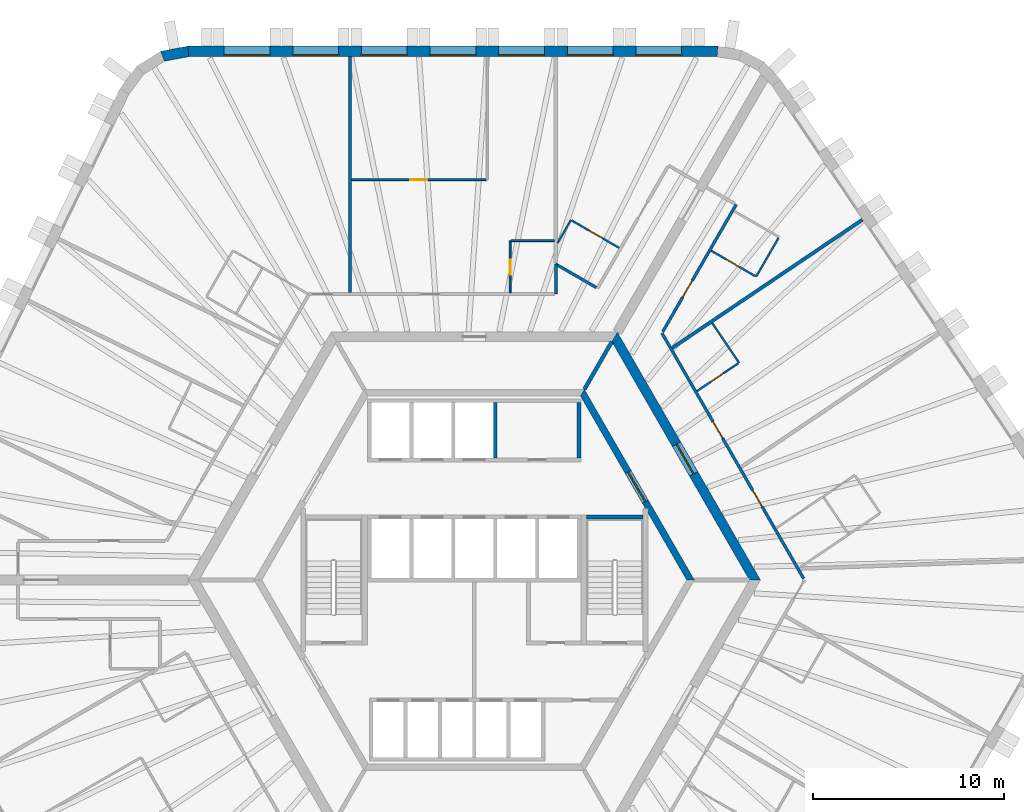
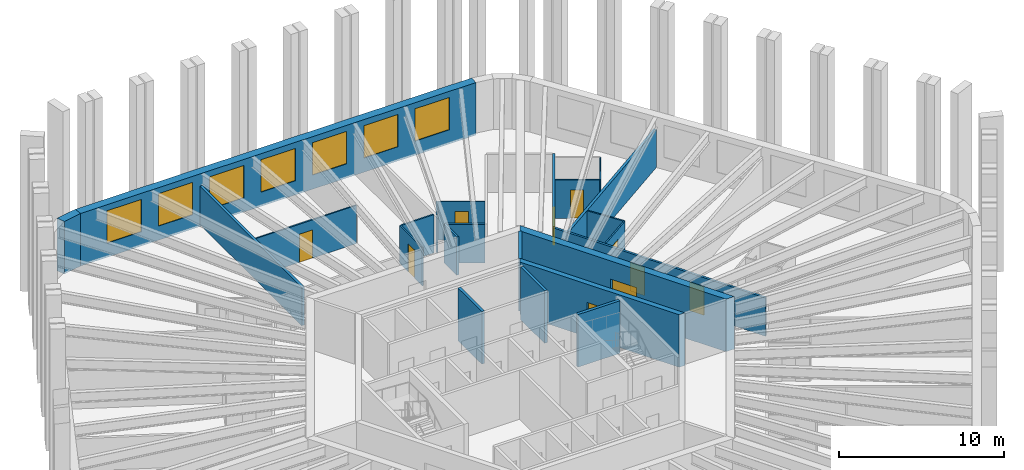
# One storey, part 8 of 10: 23 walls, 10 doors, 7 windows, 17 openings.
"""IFC4 building model written with IfcOpenShell, lengths in metres."""

import ifcopenshell
import ifcopenshell.guid

model = None  # the IFC model being written
_history = None  # IfcOwnerHistory: only IFC2X3 demands one
_inside = {}  # id of a spatial element -> (the spatial element, [elements in it])
_under = {}  # id of a project, library or spatial element -> (it, [spatial elements below it])
_declared = {}  # id of a project -> (the project, [libraries it declares])
_typed = {}  # id of a type object -> (the type object, [elements of that type])
_made_of = {}  # id of a material, layer set ... -> (it, [elements and type objects made of it])


def new_model(schema):
    """Start an empty IFC model of exactly this schema.

    Asked for "IFC4X3", IfcOpenShell would pick the latest addendum, in which some entities
    have other attributes; the version numbers below select the first issue.
    IFC2X3 requires an IfcOwnerHistory on every rooted entity: one is made here for all.
    """
    global model, _history
    if schema == "IFC4X3":
        model = ifcopenshell.file(schema_version=(4, 3, 0, 0))
    else:
        model = ifcopenshell.file(schema=schema)
    _inside.clear()
    _under.clear()
    _declared.clear()
    _typed.clear()
    _made_of.clear()
    _history = None
    if model.schema == "IFC2X3":
        org = make("IfcOrganization", Name="unknown")
        user = make(
            "IfcPersonAndOrganization",
            ThePerson=make("IfcPerson", FamilyName="unknown"),
            TheOrganization=org,
        )
        app = make(
            "IfcApplication",
            ApplicationDeveloper=org,
            Version="unknown",
            ApplicationFullName="unknown",
            ApplicationIdentifier="unknown",
        )
        _history = make(
            "IfcOwnerHistory",
            OwningUser=user,
            OwningApplication=app,
            ChangeAction="ADDED",
            CreationDate=0,
        )
    return model


def make(cls, **values):
    """One entity of the class cls with the attributes given. An attribute that is None is left unset."""
    return model.create_entity(
        cls, **{name: value for name, value in values.items() if value is not None}
    )


def rooted(cls, **values):
    """An entity with a GlobalId (a new one), such as an element, a storey or a relation."""
    return make(cls, GlobalId=ifcopenshell.guid.new(), OwnerHistory=_history, **values)


def si_unit(unit_type, name, prefix=None):
    """IfcSIUnit, for example si_unit("LENGTHUNIT", "METRE", prefix="MILLI")."""
    return make("IfcSIUnit", UnitType=unit_type, Prefix=prefix, Name=name)


def assignment(units):
    """IfcUnitAssignment: the units of a project."""
    return None if units is None else make("IfcUnitAssignment", Units=units)


def point(xyz):
    """IfcCartesianPoint."""
    return None if xyz is None else make("IfcCartesianPoint", Coordinates=xyz)


def direction(xyz):
    """IfcDirection."""
    return None if xyz is None else make("IfcDirection", DirectionRatios=xyz)


def frame(location, z_axis=None, x_axis=None):
    """IfcAxis2Placement3D, a coordinate frame: its origin and axes. An axis left out is left unset."""
    return make(
        "IfcAxis2Placement3D",
        Location=point(location),
        Axis=direction(z_axis),
        RefDirection=direction(x_axis),
    )


def frame_2d(location, x_axis=None):
    """IfcAxis2Placement2D, a coordinate frame in the plane: its origin and x axis."""
    return make(
        "IfcAxis2Placement2D", Location=point(location), RefDirection=direction(x_axis)
    )


def origin():
    """The frame at (0, 0, 0) with its axes left unset."""
    return frame((0.0, 0.0, 0.0))


def place(relative_to, where):
    """IfcLocalPlacement: puts the frame where relative to a parent placement (None: the world)."""
    return make(
        "IfcLocalPlacement", PlacementRelTo=relative_to, RelativePlacement=where
    )


def context(
    kind, dimensions, precision=None, world=None, true_north=None, identifier=None
):
    """IfcGeometricRepresentationContext, for example the 3D "Model" context."""
    return make(
        "IfcGeometricRepresentationContext",
        ContextIdentifier=identifier,
        ContextType=kind,
        CoordinateSpaceDimension=dimensions,
        Precision=precision,
        WorldCoordinateSystem=world,
        TrueNorth=true_north,
    )


def subcontext(parent, identifier, kind, view, scale=None):
    """IfcGeometricRepresentationSubContext, for example "Body" below "Model"."""
    return make(
        "IfcGeometricRepresentationSubContext",
        ContextIdentifier=identifier,
        ContextType=kind,
        ParentContext=parent,
        TargetScale=scale,
        TargetView=view,
    )


def project(units=None, contexts=None):
    """IfcProject with its units and contexts."""
    return rooted(
        "IfcProject",
        Name="project",
        RepresentationContexts=contexts,
        UnitsInContext=assignment(units),
    )


def spatial(cls, under=None, at=None, **own):
    """A site, building, storey or space (cls), placed at a placement, below another one or the project."""
    s = rooted(cls, ObjectPlacement=at, **own)
    if under is not None:
        _under.setdefault(under.id(), (under, []))[1].append(s)
    return s


def polyline(points):
    """IfcPolyline through the points."""
    return make("IfcPolyline", Points=[point(p) for p in points])


def profile(cls, at=None, kind="AREA", **sizes):
    """A parametric profile (cls). Its sizes go by their IFC names, for example OverallWidth=200.0."""
    return make(cls, ProfileType=kind, Position=at, **sizes)


def rectangle(**sizes):
    """IfcRectangleProfileDef."""
    return profile("IfcRectangleProfileDef", **sizes)


def outline(outer, holes=None, kind="AREA"):
    """IfcArbitraryClosedProfileDef: a profile drawn as a closed curve; with holes, ...WithVoids."""
    if holes is None:
        return make("IfcArbitraryClosedProfileDef", ProfileType=kind, OuterCurve=outer)
    return make(
        "IfcArbitraryProfileDefWithVoids",
        ProfileType=kind,
        OuterCurve=outer,
        InnerCurves=holes,
    )


def extrude(swept, where, along, depth):
    """IfcExtrudedAreaSolid: the profile swept, set in the frame where, extruded along a direction by depth."""
    return make(
        "IfcExtrudedAreaSolid",
        SweptArea=swept,
        Position=where,
        ExtrudedDirection=direction(along),
        Depth=depth,
    )


def shape(context_of_items, identifier, shape_type, items):
    """IfcShapeRepresentation: the items that make up one representation, for example the "Body"."""
    return make(
        "IfcShapeRepresentation",
        ContextOfItems=context_of_items,
        RepresentationIdentifier=identifier,
        RepresentationType=shape_type,
        Items=items,
    )


def material(Name=None, Category=None):
    """IfcMaterial."""
    return make("IfcMaterial", Name=Name, Category=Category)


def layer(
    of_material, thickness, ventilated=None, Name=None, Category=None, Priority=None
):
    """IfcMaterialLayer: one layer of a wall or slab, of a material (None: an air gap)."""
    return make(
        "IfcMaterialLayer",
        Material=of_material,
        LayerThickness=thickness,
        IsVentilated=ventilated,
        Name=Name,
        Category=Category,
        Priority=Priority,
    )


def layer_set(layers, Name=None):
    """IfcMaterialLayerSet."""
    return make("IfcMaterialLayerSet", MaterialLayers=layers, LayerSetName=Name)


def made_of(thing, what):
    """Note that an element or type object is made of a material, layer set ...; save() writes the relation."""
    if what is not None:
        _made_of.setdefault(what.id(), (what, []))[1].append(thing)
    return thing


def type_object(cls, material=None, **own):
    """A type object (cls), such as IfcWallType, which elements share."""
    return made_of(rooted(cls, **own), material)


def element(
    cls,
    number,
    at=None,
    inside=None,
    cuts=None,
    type_object=None,
    material=None,
    context=None,
    identifier="Body",
    shape_type=None,
    held_by="IfcProductDefinitionShape",
    body=None,
    shapes=None,
    **own,
):
    """One element of the class cls, such as IfcWall. Its Tag is "e" and its number.

    at: its placement. inside: the storey or other place that contains it. cuts: it is an
    opening in that element (IfcRelVoidsElement). A single representation is given by context,
    identifier, shape_type and body (its items); several are given by shapes. held_by: the class
    of the entity that holds the representations. save() writes the other relations.
    """
    e = rooted(cls, Tag="e%d" % number, ObjectPlacement=at, **own)
    if body is not None:
        shapes = [shape(context, identifier, shape_type, body)]
    if shapes is not None:
        e.Representation = make(held_by, Representations=shapes)
    if inside is not None:
        _inside.setdefault(inside.id(), (inside, []))[1].append(e)
    if cuts is not None:
        rooted(
            "IfcRelVoidsElement", RelatingBuildingElement=cuts, RelatedOpeningElement=e
        )
    if type_object is not None:
        _typed.setdefault(type_object.id(), (type_object, []))[1].append(e)
    return made_of(e, material)


def fill(opening, filler):
    """IfcRelFillsElement: the door or window that sits in an opening."""
    return rooted(
        "IfcRelFillsElement",
        RelatingOpeningElement=opening,
        RelatedBuildingElement=filler,
    )


def aggregate(whole, parts):
    """IfcRelAggregates: a whole, such as a stair, and the parts it consists of."""
    return rooted("IfcRelAggregates", RelatingObject=whole, RelatedObjects=parts)


def save(model, path):
    """Write the relations noted so far, then the file.

    IfcRelAggregates (storeys below a building ...), IfcRelContainedInSpatialStructure (elements
    in a storey), IfcRelDefinesByType, IfcRelAssociatesMaterial and IfcRelDeclares: one each for
    every whole, place, type object, material and project.
    """
    for whole, parts in _under.values():
        aggregate(whole, parts)
    for where, things in _inside.values():
        rooted(
            "IfcRelContainedInSpatialStructure",
            RelatedElements=things,
            RelatingStructure=where,
        )
    for kind, things in _typed.values():
        rooted("IfcRelDefinesByType", RelatedObjects=things, RelatingType=kind)
    for what, things in _made_of.values():
        rooted("IfcRelAssociatesMaterial", RelatedObjects=things, RelatingMaterial=what)
    for by, libraries in _declared.values():
        rooted("IfcRelDeclares", RelatingContext=by, RelatedDefinitions=libraries)
    model.write(path)


model = new_model("IFC4")

# Units and contexts
model_context = context("Model", 3, precision=1e-05, world=origin(), true_north=direction((0.0, 1.0)))
body_context = subcontext(model_context, "Body", "Model", "MODEL_VIEW")
ifc_project = project(units=[si_unit("LENGTHUNIT", "METRE"), si_unit("AREAUNIT", "SQUARE_METRE"), si_unit("VOLUMEUNIT", "CUBIC_METRE"), si_unit("PLANEANGLEUNIT", "RADIAN"), si_unit("MASSUNIT", "GRAM", prefix="KILO")], contexts=[model_context])

# Site, building, storey
site_placement = place(None, origin())
site = spatial("IfcSite", under=ifc_project, at=site_placement, CompositionType="ELEMENT")
building_placement = place(site_placement, origin())
building = spatial("IfcBuilding", under=site, at=building_placement, Name="Tarnside Tower", CompositionType="ELEMENT")
storey_placement = place(building_placement, frame((0.0, 0.0, 238.5)))
storey = spatial("IfcBuildingStorey", under=building, at=storey_placement, Name="L57", CompositionType="ELEMENT", Elevation=238.5)

# Wall
ifc_material_1 = material(Name="Gypsum board partition on steel studs", Category="steel")
ifc_layer_1 = layer(ifc_material_1, 0.10009765625)
ifc_layer_set_1 = layer_set([ifc_layer_1], Name="Bathroom wall 100")
wall_type_1 = type_object("IfcWallType", Name="Bathroom wall 100", PredefinedType="PARTITIONING", material=ifc_layer_set_1)
wall_1_placement = place(storey_placement, frame((4.3720703125, 17.6728515625, 0.0), z_axis=(0.0, 0.0, 1.0), x_axis=(0.50007068215, 0.86598459158, 0.0)))
element("IfcWall", 1, at=wall_1_placement, inside=storey, type_object=wall_type_1, Name="Bathroom wall 19051", PredefinedType="PARTITIONING", context=body_context, shape_type="SweptSolid", body=[
    extrude(rectangle(XDim=1.395751953125, YDim=0.10009765625, at=frame_2d((0.69775390625, 0.0))), origin(), (0.0, 0.0, 1.0), 2.837890625),
])

# Wall, opening, door
wall_2_placement = place(storey_placement, frame((5.11328125, 18.856689453125, 0.0), z_axis=(0.0, 0.0, 1.0), x_axis=(0.866039941686, -0.499974818771, 0.0)))
wall_2 = element("IfcWall", 2, at=wall_2_placement, inside=storey, type_object=wall_type_1, Name="Bathroom wall 19052", PredefinedType="PARTITIONING", context=body_context, shape_type="SweptSolid", body=[
    extrude(rectangle(XDim=2.875244140625, YDim=0.10009765625, at=frame_2d((1.4375, 0.0))), origin(), (0.0, 0.0, 1.0), 2.837890625),
])
opening_1_placement = place(wall_2_placement, frame((1.050048828125, 0.0, 0.0)))
opening_1 = element("IfcOpeningElement", 3, at=opening_1_placement, cuts=wall_2, Name="Opening D-B1", PredefinedType="OPENING", context=body_context, shape_type="SweptSolid", body=[
    extrude(rectangle(XDim=0.800048828125, YDim=2.10009765625, at=frame_2d((0.39990234375, 1.050048828125))), frame((0.0, 0.06005859375, 0.0), z_axis=(0.0, -1.0, 0.0), x_axis=(1.0, 0.0, 0.0)), (0.0, 0.0, 1.0), 0.1201171875),
])
ifc_material_2 = material(Name="Timber door leaf", Category="wood")
door_type_1 = type_object("IfcDoorType", Name="Bathroom door 800", OperationType="NOTDEFINED", PredefinedType="DOOR", material=ifc_material_2)
door_1_placement = place(opening_1_placement, origin())
door_1 = element("IfcDoor", 4, at=door_1_placement, inside=storey, type_object=door_type_1, Name="Bathroom door 19002", OperationType="SINGLE_SWING_RIGHT", OverallHeight=2.10009765625, OverallWidth=0.800048828125, PredefinedType="DOOR", context=body_context, shape_type="SweptSolid", body=[
    extrude(rectangle(XDim=0.800048828125, YDim=2.10009765625, at=frame_2d((0.39990234375, 1.050048828125))), frame((0.0, 0.02490234375, 0.0), z_axis=(0.0, -1.0, 0.0), x_axis=(1.0, 0.0, 0.0)), (0.0, 0.0, 1.0), 0.050048828125),
])
fill(opening_1, door_1)

wall_3_placement = place(storey_placement, frame((1.882080078125, 15.074951171875, 0.0), z_axis=(0.0, 0.0, 1.0), x_axis=(0.0, 1.0, 0.0)))
wall_3 = element("IfcWall", 5, at=wall_3_placement, inside=storey, type_object=wall_type_1, Name="Bathroom wall 19056", PredefinedType="PARTITIONING", context=body_context, shape_type="SweptSolid", body=[
    extrude(rectangle(XDim=2.72509765625, YDim=0.10009765625, at=frame_2d((1.362548828125, 0.0))), origin(), (0.0, 0.0, 1.0), 2.837890625),
])
opening_2_placement = place(wall_3_placement, frame((0.925048828125, 0.0, 0.0)))
opening_2 = element("IfcOpeningElement", 6, at=opening_2_placement, cuts=wall_3, Name="Opening D-B1", PredefinedType="OPENING", context=body_context, shape_type="SweptSolid", body=[
    extrude(rectangle(XDim=0.800048828125, YDim=2.10009765625, at=frame_2d((0.39990234375, 1.050048828125))), frame((0.0, 0.06005859375, 0.0), z_axis=(0.0, -1.0, 0.0), x_axis=(1.0, 0.0, 0.0)), (0.0, 0.0, 1.0), 0.1201171875),
])
door_2_placement = place(opening_2_placement, origin())
door_2 = element("IfcDoor", 7, at=door_2_placement, inside=storey, type_object=door_type_1, Name="Bathroom door 19004", OperationType="SINGLE_SWING_RIGHT", OverallHeight=2.10009765625, OverallWidth=0.800048828125, PredefinedType="DOOR", context=body_context, shape_type="SweptSolid", body=[
    extrude(rectangle(XDim=0.800048828125, YDim=2.10009765625, at=frame_2d((0.39990234375, 1.050048828125))), frame((0.0, 0.02490234375, 0.0), z_axis=(0.0, -1.0, 0.0), x_axis=(1.0, 0.0, 0.0)), (0.0, 0.0, 1.0), 0.050048828125),
])
fill(opening_2, door_2)

# Walls
wall_4_placement = place(storey_placement, frame((1.93212890625, 17.800048828125, 0.0), z_axis=(0.0, 0.0, 1.0), x_axis=(1.0, 0.0, 0.0)))
element("IfcWall", 8, at=wall_4_placement, inside=storey, type_object=wall_type_1, Name="Bathroom wall 19057", PredefinedType="PARTITIONING", context=body_context, shape_type="SweptSolid", body=[
    extrude(rectangle(XDim=2.260009765625, YDim=0.10009765625, at=frame_2d((1.1298828125, 0.0))), origin(), (0.0, 0.0, 1.0), 2.837890625),
])
wall_5_placement = place(storey_placement, frame((12.482666015625, 13.47607421875, 0.0), z_axis=(0.0, 0.0, 1.0), x_axis=(0.559203861497, -0.829030181168, 0.0)))
element("IfcWall", 9, at=wall_5_placement, inside=storey, type_object=wall_type_1, Name="Bathroom wall 19117", PredefinedType="PARTITIONING", context=body_context, shape_type="SweptSolid", body=[
    extrude(rectangle(XDim=2.510009765625, YDim=0.10009765625, at=frame_2d((1.2548828125, 0.0))), origin(), (0.0, 0.0, 1.0), 2.837890625),
])

# Wall, opening, door
wall_6_placement = place(storey_placement, frame((13.8447265625, 11.3671875, 0.0), z_axis=(0.0, 0.0, 1.0), x_axis=(-0.829068087245, -0.55914766092, 0.0)))
wall_6 = element("IfcWall", 10, at=wall_6_placement, inside=storey, type_object=wall_type_1, Name="Bathroom wall 19118", PredefinedType="PARTITIONING", context=body_context, shape_type="SweptSolid", body=[
    extrude(rectangle(XDim=2.60498046875, YDim=0.10009765625, at=frame_2d((1.302490234375, 0.0))), origin(), (0.0, 0.0, 1.0), 2.837890625),
])
opening_3_placement = place(wall_6_placement, frame((0.949951171875, 0.0, 0.0)))
opening_3 = element("IfcOpeningElement", 11, at=opening_3_placement, cuts=wall_6, Name="Opening D-B1", PredefinedType="OPENING", context=body_context, shape_type="SweptSolid", body=[
    extrude(rectangle(XDim=0.800048828125, YDim=2.10009765625, at=frame_2d((0.39990234375, 1.050048828125))), frame((0.0, 0.06005859375, 0.0), z_axis=(0.0, -1.0, 0.0), x_axis=(1.0, 0.0, 0.0)), (0.0, 0.0, 1.0), 0.1201171875),
])
door_3_placement = place(opening_3_placement, origin())
door_3 = element("IfcDoor", 12, at=door_3_placement, inside=storey, type_object=door_type_1, Name="Bathroom door 19036", OperationType="SINGLE_SWING_LEFT", OverallHeight=2.10009765625, OverallWidth=0.800048828125, PredefinedType="DOOR", context=body_context, shape_type="SweptSolid", body=[
    extrude(rectangle(XDim=0.800048828125, YDim=2.10009765625, at=frame_2d((0.39990234375, 1.050048828125))), frame((0.0, 0.02490234375, 0.0), z_axis=(0.0, -1.0, 0.0), x_axis=(1.0, 0.0, 0.0)), (0.0, 0.0, 1.0), 0.050048828125),
])
fill(opening_3, door_3)

# Wall
wall_7_placement = place(storey_placement, frame((15.961669921875, 17.946533203125, 0.0), z_axis=(0.0, 0.0, 1.0), x_axis=(-0.500016218704, -0.866016039709, 0.0)))
element("IfcWall", 13, at=wall_7_placement, inside=storey, type_object=wall_type_1, Name="Bathroom wall 19122", PredefinedType="PARTITIONING", context=body_context, shape_type="SweptSolid", body=[
    extrude(rectangle(XDim=2.35009765625, YDim=0.10009765625, at=frame_2d((1.175048828125, 0.0))), origin(), (0.0, 0.0, 1.0), 2.837890625),
])

# Wall, opening, door
wall_8_placement = place(storey_placement, frame((14.743408203125, 15.936279296875, 0.0), z_axis=(0.0, 0.0, 1.0), x_axis=(-0.86604424267, 0.499967368674, 0.0)))
wall_8 = element("IfcWall", 14, at=wall_8_placement, inside=storey, type_object=wall_type_1, Name="Bathroom wall 19123", PredefinedType="PARTITIONING", context=body_context, shape_type="SweptSolid", body=[
    extrude(rectangle(XDim=2.675048828125, YDim=0.10009765625, at=frame_2d((1.33740234375, 0.0))), origin(), (0.0, 0.0, 1.0), 2.837890625),
])
opening_4_placement = place(wall_8_placement, frame((0.949951171875, 0.0, 0.0)))
opening_4 = element("IfcOpeningElement", 15, at=opening_4_placement, cuts=wall_8, Name="Opening D-B1", PredefinedType="OPENING", context=body_context, shape_type="SweptSolid", body=[
    extrude(rectangle(XDim=0.800048828125, YDim=2.10009765625, at=frame_2d((0.39990234375, 1.050048828125))), frame((0.0, 0.06005859375, 0.0), z_axis=(0.0, -1.0, 0.0), x_axis=(1.0, 0.0, 0.0)), (0.0, 0.0, 1.0), 0.1201171875),
])
door_4_placement = place(opening_4_placement, origin())
door_4 = element("IfcDoor", 16, at=door_4_placement, inside=storey, type_object=door_type_1, Name="Bathroom door 19038", OperationType="SINGLE_SWING_RIGHT", OverallHeight=2.10009765625, OverallWidth=0.800048828125, PredefinedType="DOOR", context=body_context, shape_type="SweptSolid", body=[
    extrude(rectangle(XDim=0.800048828125, YDim=2.10009765625, at=frame_2d((0.39990234375, 1.050048828125))), frame((0.0, 0.02490234375, 0.0), z_axis=(0.0, -1.0, 0.0), x_axis=(1.0, 0.0, 0.0)), (0.0, 0.0, 1.0), 0.050048828125),
])
fill(opening_4, door_4)

ifc_material_3 = material(Name="Concrete C50/60", Category="concrete")
ifc_layer_2 = layer(ifc_material_3, 0.35009765625)
ifc_layer_set_2 = layer_set([ifc_layer_2], Name="Core block wall 350 C50/60")
wall_type_2 = type_object("IfcWallType", Name="Core block wall 350 C50/60", PredefinedType="SHEAR", material=ifc_layer_set_2)
wall_9_placement = place(storey_placement, frame((11.344970703125, 0.0, -0.14990234375), z_axis=(0.0, 0.0, 1.0), x_axis=(-0.499995046907, 0.866028263435, 0.0)))
wall_9 = element("IfcWall", 17, at=wall_9_placement, inside=storey, type_object=wall_type_2, Name="L57 core block wall face 6", PredefinedType="SHEAR", context=body_context, shape_type="SweptSolid", body=[
    extrude(outline(polyline([(-0.10107421875, -0.175048828125), (11.44580078125, -0.175048828125), (11.24365234375, 0.175048828125), (0.10107421875, 0.175048828125), (-0.10107421875, -0.175048828125)])), origin(), (0.0, 0.0, 1.0), 3.89990234375),
])
opening_5_placement = place(wall_9_placement, frame((4.74365234375, 0.0, 0.14990234375)))
opening_5 = element("IfcOpeningElement", 18, at=opening_5_placement, cuts=wall_9, Name="Opening CD-LOB", PredefinedType="OPENING", context=body_context, shape_type="SweptSolid", body=[
    extrude(rectangle(XDim=1.800048828125, YDim=2.39990234375, at=frame_2d((0.89990234375, 1.199951171875))), frame((0.0, 0.18505859375, 0.0), z_axis=(0.0, -1.0, 0.0), x_axis=(1.0, 0.0, 0.0)), (0.0, 0.0, 1.0), 0.3701171875),
])
ifc_material_4 = material(Name="Steel fire door", Category="steel")
door_type_2 = type_object("IfcDoorType", Name="Lobby double door FD30S 1800x2400", OperationType="NOTDEFINED", PredefinedType="DOOR", material=ifc_material_4)
door_5_placement = place(opening_5_placement, origin())
door_5 = element("IfcDoor", 19, at=door_5_placement, inside=storey, type_object=door_type_2, Name="L57 lobby block door P2", OperationType="DOUBLE_DOOR_SINGLE_SWING", OverallHeight=2.39990234375, OverallWidth=1.800048828125, PredefinedType="DOOR", context=body_context, shape_type="SweptSolid", body=[
    extrude(rectangle(XDim=1.800048828125, YDim=2.39990234375, at=frame_2d((0.89990234375, 1.199951171875))), frame((0.0, 0.02490234375, 0.0), z_axis=(0.0, -1.0, 0.0), x_axis=(1.0, 0.0, 0.0)), (0.0, 0.0, 1.0), 0.050048828125),
])
fill(opening_5, door_5)

ifc_material_5 = material(Name="Concrete C70/85", Category="concrete")
ifc_layer_3 = layer(ifc_material_5, 0.5)
ifc_layer_set_3 = layer_set([ifc_layer_3], Name="Core wall Z2 500 C70/85")
wall_type_3 = type_object("IfcWallType", Name="Core wall Z2 500 C70/85", PredefinedType="SHEAR", material=ifc_layer_set_3)
wall_10_placement = place(storey_placement, frame((14.722412109375, 0.0, -0.14990234375), z_axis=(0.0, 0.0, 1.0), x_axis=(-0.50000571537, 0.866022103989, 0.0)))
wall_10 = element("IfcWall", 20, at=wall_10_placement, inside=storey, type_object=wall_type_3, Name="L57 core wall face 6", PredefinedType="SHEAR", context=body_context, shape_type="SweptSolid", body=[
    extrude(outline(polyline([(-0.144287109375, -0.25), (14.86669921875, -0.25), (14.578125, 0.25), (0.144287109375, 0.25), (-0.144287109375, -0.25)])), origin(), (0.0, 0.0, 1.0), 3.89990234375),
])
opening_6_placement = place(wall_10_placement, frame((6.432373046875, 0.0, 0.14990234375)))
opening_6 = element("IfcOpeningElement", 21, at=opening_6_placement, cuts=wall_10, Name="Opening CD-LOB", PredefinedType="OPENING", context=body_context, shape_type="SweptSolid", body=[
    extrude(rectangle(XDim=1.800048828125, YDim=2.39990234375, at=frame_2d((0.89990234375, 1.199951171875))), frame((0.0, 0.260009765625, 0.0), z_axis=(0.0, -1.0, 0.0), x_axis=(1.0, 0.0, 0.0)), (0.0, 0.0, 1.0), 0.52001953125),
])
door_6_placement = place(opening_6_placement, origin())
door_6 = element("IfcDoor", 22, at=door_6_placement, inside=storey, type_object=door_type_2, Name="L57 core door P2", OperationType="DOUBLE_DOOR_SINGLE_SWING", OverallHeight=2.39990234375, OverallWidth=1.800048828125, PredefinedType="DOOR", context=body_context, shape_type="SweptSolid", body=[
    extrude(rectangle(XDim=1.800048828125, YDim=2.39990234375, at=frame_2d((0.89990234375, 1.199951171875))), frame((0.0, 0.02490234375, 0.0), z_axis=(0.0, -1.0, 0.0), x_axis=(1.0, 0.0, 0.0)), (0.0, 0.0, 1.0), 0.050048828125),
])
fill(opening_6, door_6)

# Walls
ifc_layer_4 = layer(ifc_material_1, 0.14990234375)
ifc_layer_set_4 = layer_set([ifc_layer_4], Name="Corridor wall 150 EI 60")
wall_type_4 = type_object("IfcWallType", Name="Corridor wall 150 EI 60", PredefinedType="PARTITIONING", material=ifc_layer_set_4)
wall_11_placement = place(storey_placement, frame((6.403076171875, 15.340576171875, 0.0), z_axis=(0.0, 0.0, 1.0), x_axis=(-0.8660013066, 0.500041735226, 0.0)))
element("IfcWall", 23, at=wall_11_placement, inside=storey, type_object=wall_type_4, Name="Corridor wall 19004", PredefinedType="PARTITIONING", context=body_context, shape_type="SweptSolid", body=[
    extrude(rectangle(XDim=2.448974609375, YDim=0.14990234375, at=frame_2d((1.224609375, 0.0))), origin(), (0.0, 0.0, 1.0), 2.837890625),
])
wall_12_placement = place(storey_placement, frame((4.2822265625, 16.569091796875, 0.0), z_axis=(0.0, 0.0, 1.0), x_axis=(0.0, -1.0, 0.0)))
element("IfcWall", 24, at=wall_12_placement, inside=storey, type_object=wall_type_4, Name="Corridor wall 19006", PredefinedType="PARTITIONING", context=body_context, shape_type="SweptSolid", body=[
    extrude(rectangle(XDim=1.569091796875, YDim=0.14990234375, at=frame_2d((0.78466796875, 0.0))), origin(), (0.0, 0.0, 1.0), 2.837890625),
])

# Wall, openings, doors
wall_13_placement = place(storey_placement, frame((17.277099609375, 0.074951171875, 0.0), z_axis=(0.0, 0.0, 1.0), x_axis=(-0.499998228944, 0.866026426302, 0.0)))
wall_13 = element("IfcWall", 25, at=wall_13_placement, inside=storey, type_object=wall_type_4, Name="Corridor wall 19041", PredefinedType="PARTITIONING", context=body_context, shape_type="SweptSolid", body=[
    extrude(rectangle(XDim=14.86669921875, YDim=0.14990234375, at=frame_2d((7.433349609375, 0.0))), origin(), (0.0, 0.0, 1.0), 2.837890625),
])
opening_7_placement = place(wall_13_placement, frame((4.3447265625, 0.0, 0.0)))
opening_7 = element("IfcOpeningElement", 26, at=opening_7_placement, cuts=wall_13, Name="Opening D-E1", PredefinedType="OPENING", context=body_context, shape_type="SweptSolid", body=[
    extrude(rectangle(XDim=1.0, YDim=2.10009765625, at=frame_2d((0.5, 1.050048828125))), frame((0.0, 0.0849609375, 0.0), z_axis=(0.0, -1.0, 0.0), x_axis=(1.0, 0.0, 0.0)), (0.0, 0.0, 1.0), 0.169921875),
])
opening_8_placement = place(wall_13_placement, frame((8.509521484375, 0.0, 0.0)))
opening_8 = element("IfcOpeningElement", 27, at=opening_8_placement, cuts=wall_13, Name="Opening D-E1", PredefinedType="OPENING", context=body_context, shape_type="SweptSolid", body=[
    extrude(rectangle(XDim=1.0, YDim=2.10009765625, at=frame_2d((0.5, 1.050048828125))), frame((0.0, 0.0849609375, 0.0), z_axis=(0.0, -1.0, 0.0), x_axis=(1.0, 0.0, 0.0)), (0.0, 0.0, 1.0), 0.169921875),
])
door_type_3 = type_object("IfcDoorType", Name="Unit entrance door 1000 FD30S", OperationType="NOTDEFINED", PredefinedType="DOOR", material=ifc_material_2)
door_7_placement = place(opening_7_placement, origin())
door_7 = element("IfcDoor", 28, at=door_7_placement, inside=storey, type_object=door_type_3, Name="Unit door 19032", OperationType="SINGLE_SWING_LEFT", OverallHeight=2.10009765625, OverallWidth=1.0, PredefinedType="DOOR", context=body_context, shape_type="SweptSolid", body=[
    extrude(rectangle(XDim=1.0, YDim=2.10009765625, at=frame_2d((0.5, 1.050048828125))), frame((0.0, 0.02490234375, 0.0), z_axis=(0.0, -1.0, 0.0), x_axis=(1.0, 0.0, 0.0)), (0.0, 0.0, 1.0), 0.050048828125),
])
fill(opening_7, door_7)
door_8_placement = place(opening_8_placement, origin())
door_8 = element("IfcDoor", 29, at=door_8_placement, inside=storey, type_object=door_type_3, Name="Unit door 19035", OperationType="SINGLE_SWING_RIGHT", OverallHeight=2.10009765625, OverallWidth=1.0, PredefinedType="DOOR", context=body_context, shape_type="SweptSolid", body=[
    extrude(rectangle(XDim=1.0, YDim=2.10009765625, at=frame_2d((0.5, 1.050048828125))), frame((0.0, 0.02490234375, 0.0), z_axis=(0.0, -1.0, 0.0), x_axis=(1.0, 0.0, 0.0)), (0.0, 0.0, 1.0), 0.050048828125),
])
fill(opening_8, door_8)

# Wall, opening, door
wall_14_placement = place(storey_placement, frame((9.88720703125, 13.02490234375, 0.0), z_axis=(0.0, 0.0, 1.0), x_axis=(0.499985955615, 0.866033512162, 0.0)))
wall_14 = element("IfcWall", 30, at=wall_14_placement, inside=storey, type_object=wall_type_4, Name="Corridor wall 19047", PredefinedType="PARTITIONING", context=body_context, shape_type="SweptSolid", body=[
    extrude(rectangle(XDim=7.699462890625, YDim=0.14990234375, at=frame_2d((3.849609375, 0.0))), origin(), (0.0, 0.0, 1.0), 2.837890625),
])
opening_9_placement = place(wall_14_placement, frame((2.1064453125, 0.0, 0.0)))
opening_9 = element("IfcOpeningElement", 31, at=opening_9_placement, cuts=wall_14, Name="Opening D-E1", PredefinedType="OPENING", context=body_context, shape_type="SweptSolid", body=[
    extrude(rectangle(XDim=1.0, YDim=2.10009765625, at=frame_2d((0.5, 1.050048828125))), frame((0.0, 0.0849609375, 0.0), z_axis=(0.0, -1.0, 0.0), x_axis=(1.0, 0.0, 0.0)), (0.0, 0.0, 1.0), 0.169921875),
])
door_9_placement = place(opening_9_placement, origin())
door_9 = element("IfcDoor", 32, at=door_9_placement, inside=storey, type_object=door_type_3, Name="Unit door 19037", OperationType="SINGLE_SWING_RIGHT", OverallHeight=2.10009765625, OverallWidth=1.0, PredefinedType="DOOR", context=body_context, shape_type="SweptSolid", body=[
    extrude(rectangle(XDim=1.0, YDim=2.10009765625, at=frame_2d((0.5, 1.050048828125))), frame((0.0, 0.02490234375, 0.0), z_axis=(0.0, -1.0, 0.0), x_axis=(1.0, 0.0, 0.0)), (0.0, 0.0, 1.0), 0.050048828125),
])
fill(opening_9, door_9)

# Walls
ifc_layer_5 = layer(ifc_material_1, 0.179931640625)
ifc_layer_set_5 = layer_set([ifc_layer_5], Name="Demising wall 180 EI 60")
wall_type_5 = type_object("IfcWallType", Name="Demising wall 180 EI 60", PredefinedType="PARTITIONING", material=ifc_layer_set_5)
wall_15_placement = place(storey_placement, frame((-6.517822265625, 27.449951171875, 0.0), z_axis=(0.0, 0.0, 1.0), x_axis=(0.0, -1.0, 0.0)))
element("IfcWall", 33, at=wall_15_placement, inside=storey, type_object=wall_type_5, Name="Demising wall 19060", PredefinedType="PARTITIONING", context=body_context, shape_type="SweptSolid", body=[
    extrude(rectangle(XDim=12.375, YDim=0.179931640625, at=frame_2d((6.1875, 0.0))), origin(), (0.0, 0.0, 1.0), 2.837890625),
])
wall_16_placement = place(storey_placement, frame((20.362548828125, 18.89990234375, 0.0), z_axis=(0.0, 0.0, 1.0), x_axis=(-0.829027307641, -0.559208121531, 0.0)))
element("IfcWall", 34, at=wall_16_placement, inside=storey, type_object=wall_type_5, Name="Demising wall 19119", PredefinedType="PARTITIONING", context=body_context, shape_type="SweptSolid", body=[
    extrude(rectangle(XDim=12.038818359375, YDim=0.179931640625, at=frame_2d((6.01953125, 0.0))), origin(), (0.0, 0.0, 1.0), 2.837890625),
])
ifc_material_6 = material(Name="Concrete C40/50", Category="concrete")
ifc_layer_6 = layer(ifc_material_6, 0.199951171875)
ifc_layer_set_6 = layer_set([ifc_layer_6], Name="Lift shaft wall 200 C40/50")
wall_type_6 = type_object("IfcWallType", Name="Lift shaft wall 200 C40/50", PredefinedType="SHEAR", material=ifc_layer_set_6)
for number, where, z_axis, x_axis, name in (
    (35, (1.10009765625, 6.39990234375, -0.25), (0.0, 0.0, 1.0), (0.0, 1.0, 0.0), "L57 lift shaft partition R14"),
    (36, (5.5, 6.39990234375, -0.25), (0.0, 0.0, 1.0), (0.0, 1.0, 0.0), "L57 lift shaft partition R16"),
):
    element("IfcWall", number, at=place(storey_placement, frame(where, z_axis=z_axis, x_axis=x_axis)), inside=storey, type_object=wall_type_6, Name=name, PredefinedType="SHEAR", context=body_context, shape_type="SweptSolid", body=[
        extrude(rectangle(XDim=2.900146484375, YDim=0.199951171875, at=frame_2d((1.4501953125, 0.0))), origin(), (0.0, 0.0, 1.0), 3.89990234375),
    ])
wall_17_placement = place(storey_placement, frame((5.7734375, 10.0, -0.14990234375), z_axis=(0.0, 0.0, 1.0), x_axis=(0.499995765644, 0.866027848477, 0.0)))
element("IfcWall", 37, at=wall_17_placement, inside=storey, type_object=wall_type_6, Name="L57 core partition AR60", PredefinedType="SHEAR", context=body_context, shape_type="SweptSolid", body=[
    extrude(rectangle(XDim=2.88671875, YDim=0.199951171875, at=frame_2d((1.443359375, 0.0))), origin(), (0.0, 0.0, 1.0), 3.89990234375),
])
wall_18_placement = place(storey_placement, frame((5.89990234375, 3.300048828125, -0.25), z_axis=(0.0, 0.0, 1.0), x_axis=(1.0, 0.0, 0.0)))
element("IfcWall", 38, at=wall_18_placement, inside=storey, type_object=wall_type_6, Name="L57 stair 1 enclosure cap wall n", PredefinedType="SHEAR", context=body_context, shape_type="SweptSolid", body=[
    extrude(rectangle(XDim=2.9501953125, YDim=0.199951171875, at=frame_2d((1.47509765625, 0.0))), origin(), (0.0, 0.0, 1.0), 3.89990234375),
])

# Wall, opening, door
ifc_layer_7 = layer(ifc_material_1, 0.10009765625)
ifc_layer_set_7 = layer_set([ifc_layer_7], Name="Partition 100")
wall_type_7 = type_object("IfcWallType", Name="Partition 100", PredefinedType="PARTITIONING", material=ifc_layer_set_7)
wall_19_placement = place(storey_placement, frame((0.632080078125, 21.0, 0.0), z_axis=(0.0, 0.0, 1.0), x_axis=(-1.0, 0.0, 0.0)))
wall_19 = element("IfcWall", 39, at=wall_19_placement, inside=storey, type_object=wall_type_7, Name="Partition wall 19059", PredefinedType="PARTITIONING", context=body_context, shape_type="SweptSolid", body=[
    extrude(rectangle(XDim=7.06005859375, YDim=0.10009765625, at=frame_2d((3.530029296875, 0.0))), origin(), (0.0, 0.0, 1.0), 2.837890625),
])
opening_10_placement = place(wall_19_placement, frame((3.10009765625, 0.0, 0.0)))
opening_10 = element("IfcOpeningElement", 40, at=opening_10_placement, cuts=wall_19, Name="Opening D-I1", PredefinedType="OPENING", context=body_context, shape_type="SweptSolid", body=[
    extrude(rectangle(XDim=0.89990234375, YDim=2.10009765625, at=frame_2d((0.449951171875, 1.050048828125))), frame((0.0, 0.06005859375, 0.0), z_axis=(0.0, -1.0, 0.0), x_axis=(1.0, 0.0, 0.0)), (0.0, 0.0, 1.0), 0.1201171875),
])
door_type_4 = type_object("IfcDoorType", Name="Internal door 900", OperationType="NOTDEFINED", PredefinedType="DOOR", material=ifc_material_2)
door_10_placement = place(opening_10_placement, origin())
door_10 = element("IfcDoor", 41, at=door_10_placement, inside=storey, type_object=door_type_4, Name="Internal door 19005", OperationType="SINGLE_SWING_LEFT", OverallHeight=2.10009765625, OverallWidth=0.89990234375, PredefinedType="DOOR", context=body_context, shape_type="SweptSolid", body=[
    extrude(rectangle(XDim=0.89990234375, YDim=2.10009765625, at=frame_2d((0.449951171875, 1.050048828125))), frame((0.0, 0.02490234375, 0.0), z_axis=(0.0, -1.0, 0.0), x_axis=(1.0, 0.0, 0.0)), (0.0, 0.0, 1.0), 0.050048828125),
])
fill(opening_10, door_10)

# Wall, openings, windows
ifc_material_7 = material(Name="Facing brick", Category="masonry")
ifc_layer_8 = layer(ifc_material_7, 0.10205078125)
ifc_material_8 = material(Name="Concrete C60/75 precast", Category="concrete")
ifc_layer_9 = layer(ifc_material_8, 0.347900390625)
ifc_material_9 = material(Name="Mineral wool insulation")
ifc_layer_10 = layer(ifc_material_9, 0.10009765625)
ifc_layer_set_8 = layer_set([ifc_layer_8, ifc_layer_9, ifc_layer_10], Name="Tube wall 550 brick faced")
wall_type_8 = type_object("IfcWallType", Name="Tube wall 550 brick faced", PredefinedType="SOLIDWALL", material=ifc_layer_set_8)
wall_20_placement = place(storey_placement, frame((12.760986328125, 27.72509765625, -0.14990234375), z_axis=(0.0, 0.0, 1.0), x_axis=(-1.0, 0.0, 0.0)))
wall_20 = element("IfcWall", 42, at=wall_20_placement, inside=storey, type_object=wall_type_8, Name="Tube wall L57 F1 flush 00", PredefinedType="SOLIDWALL", context=body_context, shape_type="SweptSolid", body=[
    extrude(outline(polyline([(-0.0224609375, -0.27490234375), (27.783447265625, -0.27490234375), (27.732177734375, 0.27490234375), (0.0224609375, 0.27490234375), (-0.0224609375, -0.27490234375)])), origin(), (0.0, 0.0, 1.0), 3.89990234375),
])
opening_11_placement = place(wall_20_placement, frame((1.87890625, 0.0, 1.050048828125)))
opening_11 = element("IfcOpeningElement", 43, at=opening_11_placement, cuts=wall_20, Name="Opening WH", PredefinedType="OPENING", context=body_context, shape_type="SweptSolid", body=[
    extrude(rectangle(XDim=2.39990234375, YDim=2.39990234375, at=frame_2d((1.199951171875, 1.199951171875))), frame((0.0, 0.28515625, 0.0), z_axis=(0.0, -1.0, 0.0), x_axis=(1.0, 0.0, 0.0)), (0.0, 0.0, 1.0), 0.570068359375),
])
opening_12_placement = place(wall_20_placement, frame((5.47900390625, 0.0, 1.050048828125)))
opening_12 = element("IfcOpeningElement", 44, at=opening_12_placement, cuts=wall_20, Name="Opening WH", PredefinedType="OPENING", context=body_context, shape_type="SweptSolid", body=[
    extrude(rectangle(XDim=2.39990234375, YDim=2.39990234375, at=frame_2d((1.199951171875, 1.199951171875))), frame((0.0, 0.28515625, 0.0), z_axis=(0.0, -1.0, 0.0), x_axis=(1.0, 0.0, 0.0)), (0.0, 0.0, 1.0), 0.570068359375),
])
opening_13_placement = place(wall_20_placement, frame((9.078857421875, 0.0, 1.050048828125)))
opening_13 = element("IfcOpeningElement", 45, at=opening_13_placement, cuts=wall_20, Name="Opening WH", PredefinedType="OPENING", context=body_context, shape_type="SweptSolid", body=[
    extrude(rectangle(XDim=2.39990234375, YDim=2.39990234375, at=frame_2d((1.199951171875, 1.199951171875))), frame((0.0, 0.28515625, 0.0), z_axis=(0.0, -1.0, 0.0), x_axis=(1.0, 0.0, 0.0)), (0.0, 0.0, 1.0), 0.570068359375),
])
opening_14_placement = place(wall_20_placement, frame((12.678955078125, 0.0, 1.050048828125)))
opening_14 = element("IfcOpeningElement", 46, at=opening_14_placement, cuts=wall_20, Name="Opening WH", PredefinedType="OPENING", context=body_context, shape_type="SweptSolid", body=[
    extrude(rectangle(XDim=2.39990234375, YDim=2.39990234375, at=frame_2d((1.199951171875, 1.199951171875))), frame((0.0, 0.28515625, 0.0), z_axis=(0.0, -1.0, 0.0), x_axis=(1.0, 0.0, 0.0)), (0.0, 0.0, 1.0), 0.570068359375),
])
opening_15_placement = place(wall_20_placement, frame((16.27880859375, 0.0, 1.050048828125)))
opening_15 = element("IfcOpeningElement", 47, at=opening_15_placement, cuts=wall_20, Name="Opening WH", PredefinedType="OPENING", context=body_context, shape_type="SweptSolid", body=[
    extrude(rectangle(XDim=2.39990234375, YDim=2.39990234375, at=frame_2d((1.199951171875, 1.199951171875))), frame((0.0, 0.28515625, 0.0), z_axis=(0.0, -1.0, 0.0), x_axis=(1.0, 0.0, 0.0)), (0.0, 0.0, 1.0), 0.570068359375),
])
opening_16_placement = place(wall_20_placement, frame((19.87890625, 0.0, 1.050048828125)))
opening_16 = element("IfcOpeningElement", 48, at=opening_16_placement, cuts=wall_20, Name="Opening WH", PredefinedType="OPENING", context=body_context, shape_type="SweptSolid", body=[
    extrude(rectangle(XDim=2.39990234375, YDim=2.39990234375, at=frame_2d((1.199951171875, 1.199951171875))), frame((0.0, 0.28515625, 0.0), z_axis=(0.0, -1.0, 0.0), x_axis=(1.0, 0.0, 0.0)), (0.0, 0.0, 1.0), 0.570068359375),
])
opening_17_placement = place(wall_20_placement, frame((23.47900390625, 0.0, 1.050048828125)))
opening_17 = element("IfcOpeningElement", 49, at=opening_17_placement, cuts=wall_20, Name="Opening WH", PredefinedType="OPENING", context=body_context, shape_type="SweptSolid", body=[
    extrude(rectangle(XDim=2.39990234375, YDim=2.39990234375, at=frame_2d((1.199951171875, 1.199951171875))), frame((0.0, 0.28515625, 0.0), z_axis=(0.0, -1.0, 0.0), x_axis=(1.0, 0.0, 0.0)), (0.0, 0.0, 1.0), 0.570068359375),
])
ifc_material_10 = material(Name="Aluminium-framed double glazing", Category="aluminium")
window_type = type_object("IfcWindowType", Name="Hotel window 2400 x 2400", PartitioningType="DOUBLE_PANEL_VERTICAL", PredefinedType="WINDOW", material=ifc_material_10)
window_1_placement = place(opening_11_placement, frame((0.0, 0.205078125, 0.0)))
window_1 = element("IfcWindow", 50, at=window_1_placement, inside=storey, type_object=window_type, Name="E.WN.L57.F1.00", OverallHeight=2.39990234375, OverallWidth=2.39990234375, PartitioningType="DOUBLE_PANEL_VERTICAL", PredefinedType="WINDOW", context=body_context, shape_type="SweptSolid", body=[
    extrude(rectangle(XDim=2.39990234375, YDim=2.39990234375, at=frame_2d((1.199951171875, 1.199951171875))), frame((0.0, 0.030029296875, 0.0), z_axis=(0.0, -1.0, 0.0), x_axis=(1.0, 0.0, 0.0)), (0.0, 0.0, 1.0), 0.06005859375),
])
fill(opening_11, window_1)
window_2_placement = place(opening_12_placement, frame((0.0, 0.205078125, 0.0)))
window_2 = element("IfcWindow", 51, at=window_2_placement, inside=storey, type_object=window_type, Name="E.WN.L57.F1.01", OverallHeight=2.39990234375, OverallWidth=2.39990234375, PartitioningType="DOUBLE_PANEL_VERTICAL", PredefinedType="WINDOW", context=body_context, shape_type="SweptSolid", body=[
    extrude(rectangle(XDim=2.39990234375, YDim=2.39990234375, at=frame_2d((1.199951171875, 1.199951171875))), frame((0.0, 0.030029296875, 0.0), z_axis=(0.0, -1.0, 0.0), x_axis=(1.0, 0.0, 0.0)), (0.0, 0.0, 1.0), 0.06005859375),
])
fill(opening_12, window_2)
window_3_placement = place(opening_13_placement, frame((0.0, 0.205078125, 0.0)))
window_3 = element("IfcWindow", 52, at=window_3_placement, inside=storey, type_object=window_type, Name="E.WN.L57.F1.02", OverallHeight=2.39990234375, OverallWidth=2.39990234375, PartitioningType="DOUBLE_PANEL_VERTICAL", PredefinedType="WINDOW", context=body_context, shape_type="SweptSolid", body=[
    extrude(rectangle(XDim=2.39990234375, YDim=2.39990234375, at=frame_2d((1.199951171875, 1.199951171875))), frame((0.0, 0.030029296875, 0.0), z_axis=(0.0, -1.0, 0.0), x_axis=(1.0, 0.0, 0.0)), (0.0, 0.0, 1.0), 0.06005859375),
])
fill(opening_13, window_3)
window_4_placement = place(opening_14_placement, frame((0.0, 0.205078125, 0.0)))
window_4 = element("IfcWindow", 53, at=window_4_placement, inside=storey, type_object=window_type, Name="E.WN.L57.F1.03", OverallHeight=2.39990234375, OverallWidth=2.39990234375, PartitioningType="DOUBLE_PANEL_VERTICAL", PredefinedType="WINDOW", context=body_context, shape_type="SweptSolid", body=[
    extrude(rectangle(XDim=2.39990234375, YDim=2.39990234375, at=frame_2d((1.199951171875, 1.199951171875))), frame((0.0, 0.030029296875, 0.0), z_axis=(0.0, -1.0, 0.0), x_axis=(1.0, 0.0, 0.0)), (0.0, 0.0, 1.0), 0.06005859375),
])
fill(opening_14, window_4)
window_5_placement = place(opening_15_placement, frame((0.0, 0.205078125, 0.0)))
window_5 = element("IfcWindow", 54, at=window_5_placement, inside=storey, type_object=window_type, Name="E.WN.L57.F1.04", OverallHeight=2.39990234375, OverallWidth=2.39990234375, PartitioningType="DOUBLE_PANEL_VERTICAL", PredefinedType="WINDOW", context=body_context, shape_type="SweptSolid", body=[
    extrude(rectangle(XDim=2.39990234375, YDim=2.39990234375, at=frame_2d((1.199951171875, 1.199951171875))), frame((0.0, 0.030029296875, 0.0), z_axis=(0.0, -1.0, 0.0), x_axis=(1.0, 0.0, 0.0)), (0.0, 0.0, 1.0), 0.06005859375),
])
fill(opening_15, window_5)
window_6_placement = place(opening_16_placement, frame((0.0, 0.205078125, 0.0)))
window_6 = element("IfcWindow", 55, at=window_6_placement, inside=storey, type_object=window_type, Name="E.WN.L57.F1.05", OverallHeight=2.39990234375, OverallWidth=2.39990234375, PartitioningType="DOUBLE_PANEL_VERTICAL", PredefinedType="WINDOW", context=body_context, shape_type="SweptSolid", body=[
    extrude(rectangle(XDim=2.39990234375, YDim=2.39990234375, at=frame_2d((1.199951171875, 1.199951171875))), frame((0.0, 0.030029296875, 0.0), z_axis=(0.0, -1.0, 0.0), x_axis=(1.0, 0.0, 0.0)), (0.0, 0.0, 1.0), 0.06005859375),
])
fill(opening_16, window_6)
window_7_placement = place(opening_17_placement, frame((0.0, 0.205078125, 0.0)))
window_7 = element("IfcWindow", 56, at=window_7_placement, inside=storey, type_object=window_type, Name="E.WN.L57.F1.06", OverallHeight=2.39990234375, OverallWidth=2.39990234375, PartitioningType="DOUBLE_PANEL_VERTICAL", PredefinedType="WINDOW", context=body_context, shape_type="SweptSolid", body=[
    extrude(rectangle(XDim=2.39990234375, YDim=2.39990234375, at=frame_2d((1.199951171875, 1.199951171875))), frame((0.0, 0.030029296875, 0.0), z_axis=(0.0, -1.0, 0.0), x_axis=(1.0, 0.0, 0.0)), (0.0, 0.0, 1.0), 0.06005859375),
])
fill(opening_17, window_7)

# Wall
wall_21_placement = place(storey_placement, frame((-14.996826171875, 27.72509765625, -0.14990234375), z_axis=(0.0, 0.0, 1.0), x_axis=(-0.982705443133, -0.185175624845, 0.0)))
element("IfcWall", 57, at=wall_21_placement, inside=storey, type_object=wall_type_8, Name="Tube wall L57 F1 chord 01", PredefinedType="SOLIDWALL", context=body_context, shape_type="SweptSolid", body=[
    extrude(outline(polyline([(-0.025634765625, -0.27490234375), (1.430908203125, -0.27490234375), (1.327392578125, 0.27490234375), (0.025634765625, 0.27490234375), (-0.025634765625, -0.27490234375)])), origin(), (0.0, 0.0, 1.0), 3.89990234375),
])

save(model, "model.ifc")
